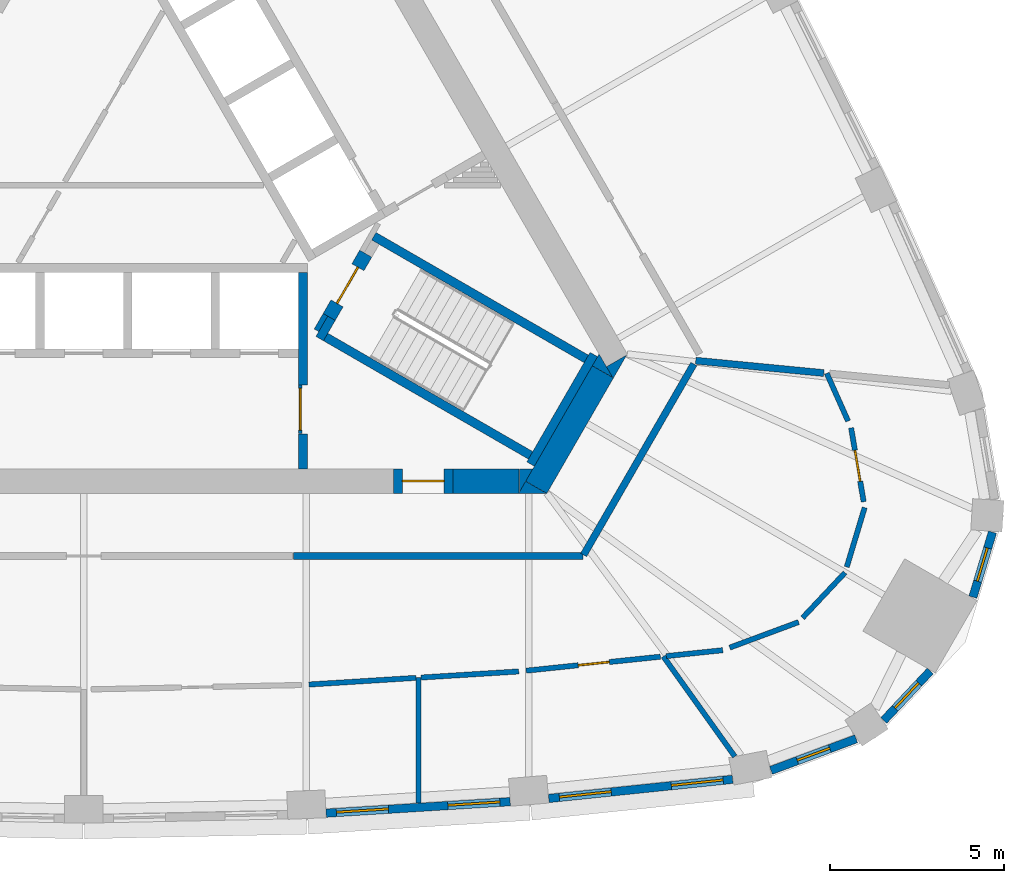
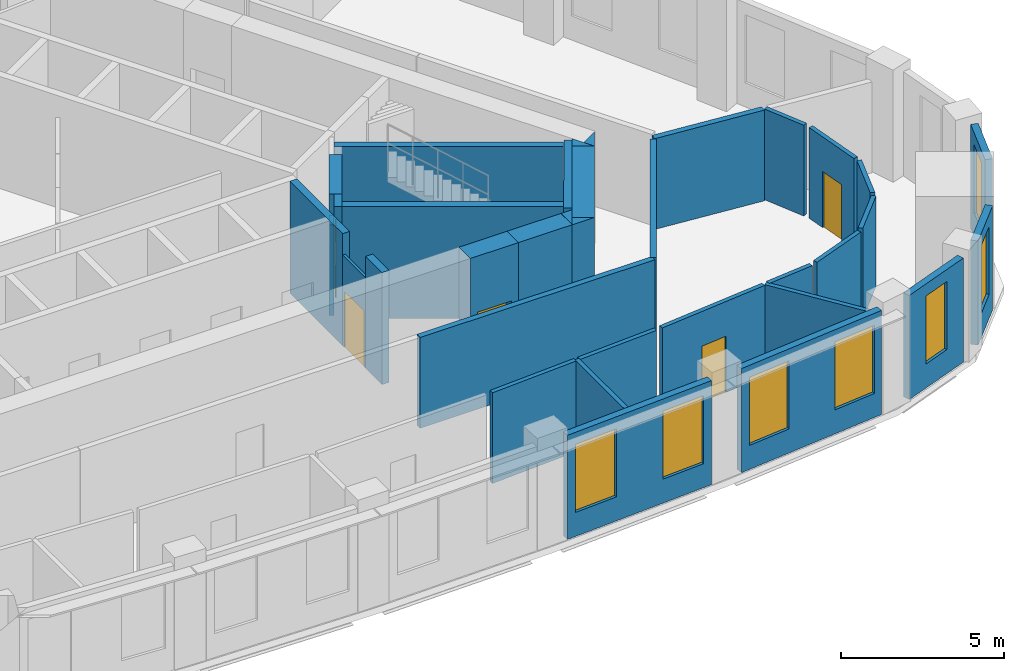
# One storey, part 6 of 11: 35 walls, 7 windows, 5 doors, 12 openings.
"""IFC4 building model written with IfcOpenShell, lengths in metres."""

from ifc_helpers import new_model, si_unit, direction, frame, frame_2d, origin, place, context, subcontext, project, spatial, polyline, rectangle, outline, extrude, material, layer, layer_set, type_object, element, fill, save


model = new_model("IFC4")

# Units and contexts
model_context = context("Model", 3, precision=1e-05, world=origin(), true_north=direction((0.0, 1.0)))
body_context = subcontext(model_context, "Body", "Model", "MODEL_VIEW")
ifc_project = project(units=[si_unit("LENGTHUNIT", "METRE"), si_unit("AREAUNIT", "SQUARE_METRE"), si_unit("VOLUMEUNIT", "CUBIC_METRE"), si_unit("PLANEANGLEUNIT", "RADIAN"), si_unit("MASSUNIT", "GRAM", prefix="KILO")], contexts=[model_context])

# Site, building, storey
site_placement = place(None, origin())
site = spatial("IfcSite", under=ifc_project, at=site_placement, CompositionType="ELEMENT")
building_placement = place(site_placement, origin())
building = spatial("IfcBuilding", under=site, at=building_placement, Name="Mestral Congress Tower", CompositionType="ELEMENT")
storey_placement = place(building_placement, frame((0.0, 0.0, 252.0)))
storey = spatial("IfcBuildingStorey", under=building, at=storey_placement, Name="L59", CompositionType="ELEMENT", Elevation=252.0)

# Wall
ifc_material_1 = material(Name="Fire-rated board partition")
ifc_layer_1 = layer(ifc_material_1, 0.14990234375)
ifc_layer_set_1 = layer_set([ifc_layer_1], Name="Fire-rated board partition")
wall_type_1 = type_object("IfcWallType", Name="Core partition 150", PredefinedType="PARTITIONING", material=ifc_layer_set_1)
wall_1_placement = place(storey_placement, frame((6.94482421875, -5.22216796875, 0.0), z_axis=(0.0, 0.0, 1.0), x_axis=(-0.499818422106, -0.866130212453, 0.0)))
element("IfcWall", 1, at=wall_1_placement, inside=storey, type_object=wall_type_1, Name="L59 core wall", PredefinedType="PARTITIONING", context=body_context, shape_type="SweptSolid", body=[
    extrude(rectangle(XDim=0.513916015625, YDim=0.14990234375, at=frame_2d((0.2568359375, 0.0))), origin(), (0.0, 0.0, 1.0), 3.39990234375),
])

# Wall, opening, door
ifc_layer_2 = layer(ifc_material_1, 0.090087890625)
ifc_layer_set_2 = layer_set([ifc_layer_2], Name="Fire-rated board partition")
wall_type_2 = type_object("IfcWallType", Name="Core partition 150 door-wall 90", PredefinedType="PARTITIONING", material=ifc_layer_set_2)
wall_2_placement = place(storey_placement, frame((6.219970703125, -7.23681640625, 0.0), z_axis=(0.0, 0.0, 1.0), x_axis=(0.0, -1.0, 0.0)))
wall_2 = element("IfcWall", 2, at=wall_2_placement, inside=storey, type_object=wall_type_2, Name="L59 door wall", PredefinedType="PARTITIONING", context=body_context, shape_type="SweptSolid", body=[
    extrude(rectangle(XDim=1.400146484375, YDim=0.090087890625, at=frame_2d((0.7001953125, 0.0))), origin(), (0.0, 0.0, 1.0), 3.39990234375),
])
opening_1_placement = place(wall_2_placement, frame((0.10009765625, 0.0, 0.0)))
opening_1 = element("IfcOpeningElement", 3, at=opening_1_placement, cuts=wall_2, Name="Opening LB0-WL1", PredefinedType="OPENING", context=body_context, shape_type="SweptSolid", body=[
    extrude(rectangle(XDim=1.199951171875, YDim=2.10009765625, at=frame_2d((0.60009765625, 1.050048828125))), frame((0.0, 0.054931640625, 0.0), z_axis=(0.0, -1.0, 0.0), x_axis=(1.0, 0.0, 0.0)), (0.0, 0.0, 1.0), 0.110107421875),
])
ifc_material_2 = material(Name="Fire-rated steel door set", Category="steel")
door_type_1 = type_object("IfcDoorType", Name="Core door LB 1200x2100", OperationType="SINGLE_SWING_LEFT", PredefinedType="DOOR", material=ifc_material_2)
door_1_placement = place(opening_1_placement, origin())
door_1 = element("IfcDoor", 4, at=door_1_placement, inside=storey, type_object=door_type_1, Name="Door LB0-WL1", OperationType="SINGLE_SWING_LEFT", OverallHeight=2.10009765625, OverallWidth=1.199951171875, PredefinedType="DOOR", context=body_context, shape_type="SweptSolid", body=[
    extrude(rectangle(XDim=1.199951171875, YDim=2.10009765625, at=frame_2d((0.60009765625, 1.050048828125))), frame((0.0, 0.02490234375, 0.0), z_axis=(0.0, -1.0, 0.0), x_axis=(1.0, 0.0, 0.0)), (0.0, 0.0, 1.0), 0.050048828125),
])
fill(opening_1, door_1)

# Walls
ifc_material_3 = material(Name="Concrete C60/75", Category="concrete")
ifc_layer_3 = layer(ifc_material_3, 0.699951171875)
ifc_layer_set_3 = layer_set([ifc_layer_3], Name="Concrete C60/75")
wall_type_3 = type_object("IfcWallType", Name="Core wall RC 700", PredefinedType="SOLIDWALL", material=ifc_layer_set_3)
placement = place(storey_placement, origin())
element("IfcWall", 5, at=placement, inside=storey, type_object=wall_type_3, Name="L59 core wall", PredefinedType="SOLIDWALL", context=body_context, shape_type="SweptSolid", body=[
    extrude(outline(polyline([(15.213134765625, -7.050048828125), (15.019287109375, -6.714111328125), (15.60107421875, -6.3779296875), (15.213134765625, -7.050048828125)])), origin(), (0.0, 0.0, 1.0), 4.199951171875),
])
wall_4_placement = place(storey_placement, frame((13.002685546875, -10.1787109375, 0.0), z_axis=(0.0, 0.0, 1.0), x_axis=(0.499972675833, 0.866041178825, 0.0)))
element("IfcWall", 6, at=wall_4_placement, inside=storey, type_object=wall_type_3, Name="L59 core wall", PredefinedType="SOLIDWALL", context=body_context, shape_type="SweptSolid", body=[
    extrude(rectangle(XDim=3.828857421875, YDim=0.699951171875, at=frame_2d((1.91455078125, 0.0))), origin(), (0.0, 0.0, 1.0), 4.199951171875),
])
element("IfcWall", 7, at=placement, inside=storey, type_object=wall_type_3, Name="L59 core wall", PredefinedType="SOLIDWALL", context=body_context, shape_type="SweptSolid", body=[
    extrude(outline(polyline([(12.49951171875, -10.35009765625), (12.698486328125, -10.00537109375), (13.295654296875, -10.35009765625), (12.49951171875, -10.35009765625)])), origin(), (0.0, 0.0, 1.0), 4.199951171875),
])
element("IfcWall", 8, at=placement, inside=storey, type_object=wall_type_3, Name="L59 core wall", PredefinedType="SOLIDWALL", context=body_context, shape_type="SweptSolid", body=[
    extrude(outline(polyline([(14.80908203125, -6.35009765625), (15.197265625, -7.022216796875), (14.614990234375, -6.68603515625), (14.80908203125, -6.35009765625)])), origin(), (0.0, 0.0, 1.0), 4.199951171875),
])
wall_7_placement = place(storey_placement, frame((10.6044921875, -10.0, 0.0), z_axis=(0.0, 0.0, 1.0), x_axis=(1.0, 0.0, 0.0)))
element("IfcWall", 9, at=wall_7_placement, inside=storey, type_object=wall_type_3, Name="L59 core wall", PredefinedType="SOLIDWALL", context=body_context, shape_type="SweptSolid", body=[
    extrude(rectangle(XDim=1.909423828125, YDim=0.699951171875, at=frame_2d((0.95458984375, 0.0))), origin(), (0.0, 0.0, 1.0), 4.199951171875),
])
element("IfcWall", 10, at=placement, inside=storey, type_object=wall_type_3, Name="L59 core wall", PredefinedType="SOLIDWALL", context=body_context, shape_type="SweptSolid", body=[
    extrude(outline(polyline([(12.90380859375, -9.64990234375), (12.515869140625, -10.322021484375), (12.515869140625, -9.64990234375), (12.90380859375, -9.64990234375)])), origin(), (0.0, 0.0, 1.0), 4.199951171875),
])

# Wall, opening, door
wall_9_placement = place(storey_placement, frame((10.6044921875, -10.0, 0.0), z_axis=(0.0, 0.0, 1.0), x_axis=(-1.0, 0.0, 0.0)))
wall_9 = element("IfcWall", 11, at=wall_9_placement, inside=storey, type_object=wall_type_3, Name="L59 door wall", PredefinedType="SOLIDWALL", context=body_context, shape_type="SweptSolid", body=[
    extrude(rectangle(XDim=1.699951171875, YDim=0.699951171875, at=frame_2d((0.85009765625, 0.0))), origin(), (0.0, 0.0, 1.0), 4.199951171875),
])
opening_2_placement = place(wall_9_placement, frame((0.25, 0.0, 0.0)))
opening_2 = element("IfcOpeningElement", 12, at=opening_2_placement, cuts=wall_9, Name="Opening XD1", PredefinedType="OPENING", context=body_context, shape_type="SweptSolid", body=[
    extrude(rectangle(XDim=1.199951171875, YDim=2.10009765625, at=frame_2d((0.60009765625, 1.050048828125))), frame((0.0, 0.35986328125, 0.0), z_axis=(0.0, -1.0, 0.0), x_axis=(1.0, 0.0, 0.0)), (0.0, 0.0, 1.0), 0.719970703125),
])
door_type_2 = type_object("IfcDoorType", Name="Core door XD 1200x2100", OperationType="SINGLE_SWING_LEFT", PredefinedType="DOOR", material=ifc_material_2)
door_2_placement = place(opening_2_placement, origin())
door_2 = element("IfcDoor", 13, at=door_2_placement, inside=storey, type_object=door_type_2, Name="Door XD1", OperationType="SINGLE_SWING_LEFT", OverallHeight=2.10009765625, OverallWidth=1.199951171875, PredefinedType="DOOR", context=body_context, shape_type="SweptSolid", body=[
    extrude(rectangle(XDim=1.199951171875, YDim=2.10009765625, at=frame_2d((0.60009765625, 1.050048828125))), frame((0.0, 0.02490234375, 0.0), z_axis=(0.0, -1.0, 0.0), x_axis=(1.0, 0.0, 0.0)), (0.0, 0.0, 1.0), 0.050048828125),
])
fill(opening_2, door_2)

# Wall, openings, windows
ifc_material_4 = material(Name="Precast concrete C40/50 with limestone facing", Category="masonry")
ifc_layer_4 = layer(ifc_material_4, 0.239990234375)
ifc_layer_set_4 = layer_set([ifc_layer_4], Name="Precast concrete C40/50 with limestone facing")
wall_type_4 = type_object("IfcWallType", Name="Facade stone wall 240", PredefinedType="SOLIDWALL", material=ifc_layer_set_4)
wall_10_placement = place(storey_placement, frame((6.965087890625, -19.54296875, 0.0), z_axis=(0.0, 0.0, 1.0), x_axis=(0.9980633213, 0.062206162685, 0.0)))
wall_10 = element("IfcWall", 14, at=wall_10_placement, inside=storey, type_object=wall_type_4, Name="Facade wall F0-04", PredefinedType="SOLIDWALL", context=body_context, shape_type="SweptSolid", body=[
    extrude(rectangle(XDim=5.29833984375, YDim=0.239990234375, at=frame_2d((2.649169921875, 0.0))), origin(), (0.0, 0.0, 1.0), 3.89990234375),
])
opening_3_placement = place(wall_10_placement, frame((0.294677734375, 0.0, 0.89990234375)))
opening_3 = element("IfcOpeningElement", 15, at=opening_3_placement, cuts=wall_10, Name="Opening W4", PredefinedType="OPENING", context=body_context, shape_type="SweptSolid", body=[
    extrude(rectangle(XDim=1.5, YDim=2.550048828125, at=frame_2d((0.75, 1.27490234375))), frame((0.0, 0.1298828125, 0.0), z_axis=(0.0, -1.0, 0.0), x_axis=(1.0, 0.0, 0.0)), (0.0, 0.0, 1.0), 0.260009765625),
])
opening_4_placement = place(wall_10_placement, frame((3.503662109375, 0.0, 0.89990234375)))
opening_4 = element("IfcOpeningElement", 16, at=opening_4_placement, cuts=wall_10, Name="Opening W4", PredefinedType="OPENING", context=body_context, shape_type="SweptSolid", body=[
    extrude(rectangle(XDim=1.5, YDim=2.550048828125, at=frame_2d((0.75, 1.27490234375))), frame((0.0, 0.1298828125, 0.0), z_axis=(0.0, -1.0, 0.0), x_axis=(1.0, 0.0, 0.0)), (0.0, 0.0, 1.0), 0.260009765625),
])
ifc_material_5 = material(Name="Clear low-emissivity double glazing", Category="glass")
window_type_1 = type_object("IfcWindowType", Name="Facade punched window 1500 x 2550 sill 900", PartitioningType="SINGLE_PANEL", PredefinedType="WINDOW", material=ifc_material_5)
window_1_placement = place(opening_3_placement, origin())
window_1 = element("IfcWindow", 17, at=window_1_placement, inside=storey, type_object=window_type_1, Name="Window F0-04a", OverallHeight=2.550048828125, OverallWidth=1.5, PartitioningType="SINGLE_PANEL", PredefinedType="WINDOW", context=body_context, shape_type="SweptSolid", body=[
    extrude(rectangle(XDim=1.5, YDim=2.550048828125, at=frame_2d((0.75, 1.27490234375))), frame((0.0, 0.0400390625, 0.0), z_axis=(0.0, -1.0, 0.0), x_axis=(1.0, 0.0, 0.0)), (0.0, 0.0, 1.0), 0.06005859375),
])
fill(opening_3, window_1)
window_2_placement = place(opening_4_placement, origin())
window_2 = element("IfcWindow", 18, at=window_2_placement, inside=storey, type_object=window_type_1, Name="Window F0-04b", OverallHeight=2.550048828125, OverallWidth=1.5, PartitioningType="SINGLE_PANEL", PredefinedType="WINDOW", context=body_context, shape_type="SweptSolid", body=[
    extrude(rectangle(XDim=1.5, YDim=2.550048828125, at=frame_2d((0.75, 1.27490234375))), frame((0.0, 0.0400390625, 0.0), z_axis=(0.0, -1.0, 0.0), x_axis=(1.0, 0.0, 0.0)), (0.0, 0.0, 1.0), 0.06005859375),
])
fill(opening_4, window_2)

wall_11_placement = place(storey_placement, frame((13.362060546875, -19.12109375, 0.0), z_axis=(0.0, 0.0, 1.0), x_axis=(0.994621961215, 0.103571976272, 0.0)))
wall_11 = element("IfcWall", 19, at=wall_11_placement, inside=storey, type_object=wall_type_4, Name="Facade wall F0-05", PredefinedType="SOLIDWALL", context=body_context, shape_type="SweptSolid", body=[
    extrude(rectangle(XDim=5.310791015625, YDim=0.239990234375, at=frame_2d((2.6552734375, 0.0))), origin(), (0.0, 0.0, 1.0), 3.89990234375),
])
opening_5_placement = place(wall_11_placement, frame((0.306396484375, 0.0, 0.89990234375)))
opening_5 = element("IfcOpeningElement", 20, at=opening_5_placement, cuts=wall_11, Name="Opening W4", PredefinedType="OPENING", context=body_context, shape_type="SweptSolid", body=[
    extrude(rectangle(XDim=1.5, YDim=2.550048828125, at=frame_2d((0.75, 1.27490234375))), frame((0.0, 0.1298828125, 0.0), z_axis=(0.0, -1.0, 0.0), x_axis=(1.0, 0.0, 0.0)), (0.0, 0.0, 1.0), 0.260009765625),
])
opening_6_placement = place(wall_11_placement, frame((3.539306640625, 0.0, 0.89990234375)))
opening_6 = element("IfcOpeningElement", 21, at=opening_6_placement, cuts=wall_11, Name="Opening W4", PredefinedType="OPENING", context=body_context, shape_type="SweptSolid", body=[
    extrude(rectangle(XDim=1.5, YDim=2.550048828125, at=frame_2d((0.75, 1.27490234375))), frame((0.0, 0.1298828125, 0.0), z_axis=(0.0, -1.0, 0.0), x_axis=(1.0, 0.0, 0.0)), (0.0, 0.0, 1.0), 0.260009765625),
])
window_3_placement = place(opening_5_placement, origin())
window_3 = element("IfcWindow", 22, at=window_3_placement, inside=storey, type_object=window_type_1, Name="Window F0-05a", OverallHeight=2.550048828125, OverallWidth=1.5, PartitioningType="SINGLE_PANEL", PredefinedType="WINDOW", context=body_context, shape_type="SweptSolid", body=[
    extrude(rectangle(XDim=1.5, YDim=2.550048828125, at=frame_2d((0.75, 1.27490234375))), frame((0.0, 0.0400390625, 0.0), z_axis=(0.0, -1.0, 0.0), x_axis=(1.0, 0.0, 0.0)), (0.0, 0.0, 1.0), 0.06005859375),
])
fill(opening_5, window_3)
window_4_placement = place(opening_6_placement, origin())
window_4 = element("IfcWindow", 23, at=window_4_placement, inside=storey, type_object=window_type_1, Name="Window F0-05b", OverallHeight=2.550048828125, OverallWidth=1.5, PartitioningType="SINGLE_PANEL", PredefinedType="WINDOW", context=body_context, shape_type="SweptSolid", body=[
    extrude(rectangle(XDim=1.5, YDim=2.550048828125, at=frame_2d((0.75, 1.27490234375))), frame((0.0, 0.0400390625, 0.0), z_axis=(0.0, -1.0, 0.0), x_axis=(1.0, 0.0, 0.0)), (0.0, 0.0, 1.0), 0.06005859375),
])
fill(opening_6, window_4)

# Wall, opening, window
wall_12_placement = place(storey_placement, frame((19.747802734375, -18.31396484375, 0.0), z_axis=(0.0, 0.0, 1.0), x_axis=(0.937569171184, 0.347798863203, 0.0)))
wall_12 = element("IfcWall", 24, at=wall_12_placement, inside=storey, type_object=wall_type_4, Name="Facade wall K0-0", PredefinedType="SOLIDWALL", context=body_context, shape_type="SweptSolid", body=[
    extrude(rectangle(XDim=2.609130859375, YDim=0.239990234375, at=frame_2d((1.3046875, 0.0))), origin(), (0.0, 0.0, 1.0), 3.89990234375),
])
opening_7_placement = place(wall_12_placement, frame((0.8046875, 0.0, 0.89990234375)))
opening_7 = element("IfcOpeningElement", 25, at=opening_7_placement, cuts=wall_12, Name="Opening W5", PredefinedType="OPENING", context=body_context, shape_type="SweptSolid", body=[
    extrude(rectangle(XDim=1.0, YDim=2.550048828125, at=frame_2d((0.5, 1.27490234375))), frame((0.0, 0.1298828125, 0.0), z_axis=(0.0, -1.0, 0.0), x_axis=(1.0, 0.0, 0.0)), (0.0, 0.0, 1.0), 0.260009765625),
])
window_type_2 = type_object("IfcWindowType", Name="Facade punched window 1000 x 2550 sill 900", PartitioningType="SINGLE_PANEL", PredefinedType="WINDOW", material=ifc_material_5)
window_5_placement = place(opening_7_placement, origin())
window_5 = element("IfcWindow", 26, at=window_5_placement, inside=storey, type_object=window_type_2, Name="Window K0-0", OverallHeight=2.550048828125, OverallWidth=1.0, PartitioningType="SINGLE_PANEL", PredefinedType="WINDOW", context=body_context, shape_type="SweptSolid", body=[
    extrude(rectangle(XDim=1.0, YDim=2.550048828125, at=frame_2d((0.5, 1.27490234375))), frame((0.0, 0.0400390625, 0.0), z_axis=(0.0, -1.0, 0.0), x_axis=(1.0, 0.0, 0.0)), (0.0, 0.0, 1.0), 0.06005859375),
])
fill(opening_7, window_5)

wall_13_placement = place(storey_placement, frame((22.989013671875, -16.87890625, 0.0), z_axis=(0.0, 0.0, 1.0), x_axis=(0.684770274166, 0.728758994194, 0.0)))
wall_13 = element("IfcWall", 27, at=wall_13_placement, inside=storey, type_object=wall_type_4, Name="Facade wall K0-1", PredefinedType="SOLIDWALL", context=body_context, shape_type="SweptSolid", body=[
    extrude(rectangle(XDim=1.947998046875, YDim=0.239990234375, at=frame_2d((0.97412109375, 0.0))), origin(), (0.0, 0.0, 1.0), 3.89990234375),
])
opening_8_placement = place(wall_13_placement, frame((0.47412109375, 0.0, 0.89990234375)))
opening_8 = element("IfcOpeningElement", 28, at=opening_8_placement, cuts=wall_13, Name="Opening W5", PredefinedType="OPENING", context=body_context, shape_type="SweptSolid", body=[
    extrude(rectangle(XDim=1.0, YDim=2.550048828125, at=frame_2d((0.5, 1.27490234375))), frame((0.0, 0.1298828125, 0.0), z_axis=(0.0, -1.0, 0.0), x_axis=(1.0, 0.0, 0.0)), (0.0, 0.0, 1.0), 0.260009765625),
])
window_6_placement = place(opening_8_placement, origin())
window_6 = element("IfcWindow", 29, at=window_6_placement, inside=storey, type_object=window_type_2, Name="Window K0-1", OverallHeight=2.550048828125, OverallWidth=1.0, PartitioningType="SINGLE_PANEL", PredefinedType="WINDOW", context=body_context, shape_type="SweptSolid", body=[
    extrude(rectangle(XDim=1.0, YDim=2.550048828125, at=frame_2d((0.5, 1.27490234375))), frame((0.0, 0.0400390625, 0.0), z_axis=(0.0, -1.0, 0.0), x_axis=(1.0, 0.0, 0.0)), (0.0, 0.0, 1.0), 0.06005859375),
])
fill(opening_8, window_6)

wall_14_placement = place(storey_placement, frame((25.5498046875, -13.334716796875, 0.0), z_axis=(0.0, 0.0, 1.0), x_axis=(0.288727209095, 0.957411405159, 0.0)))
wall_14 = element("IfcWall", 30, at=wall_14_placement, inside=storey, type_object=wall_type_4, Name="Facade wall K0-2", PredefinedType="SOLIDWALL", context=body_context, shape_type="SweptSolid", body=[
    extrude(rectangle(XDim=1.9482421875, YDim=0.239990234375, at=frame_2d((0.97412109375, 0.0))), origin(), (0.0, 0.0, 1.0), 3.89990234375),
])
opening_9_placement = place(wall_14_placement, frame((0.47412109375, 0.0, 0.89990234375)))
opening_9 = element("IfcOpeningElement", 31, at=opening_9_placement, cuts=wall_14, Name="Opening W5", PredefinedType="OPENING", context=body_context, shape_type="SweptSolid", body=[
    extrude(rectangle(XDim=1.0, YDim=2.550048828125, at=frame_2d((0.5, 1.27490234375))), frame((0.0, 0.1298828125, 0.0), z_axis=(0.0, -1.0, 0.0), x_axis=(1.0, 0.0, 0.0)), (0.0, 0.0, 1.0), 0.260009765625),
])
window_7_placement = place(opening_9_placement, origin())
window_7 = element("IfcWindow", 32, at=window_7_placement, inside=storey, type_object=window_type_2, Name="Window K0-2", OverallHeight=2.550048828125, OverallWidth=1.0, PartitioningType="SINGLE_PANEL", PredefinedType="WINDOW", context=body_context, shape_type="SweptSolid", body=[
    extrude(rectangle(XDim=1.0, YDim=2.550048828125, at=frame_2d((0.5, 1.27490234375))), frame((0.0, 0.0400390625, 0.0), z_axis=(0.0, -1.0, 0.0), x_axis=(1.0, 0.0, 0.0)), (0.0, 0.0, 1.0), 0.06005859375),
])
fill(opening_9, window_7)

# Walls
ifc_material_6 = material(Name="Plasterboard partition on steel studs", Category="steel")
ifc_layer_5 = layer(ifc_material_6, 0.14990234375)
ifc_layer_set_5 = layer_set([ifc_layer_5], Name="Plasterboard partition on steel studs")
wall_type_5 = type_object("IfcWallType", Name="Office partition 150", PredefinedType="PARTITIONING", material=ifc_layer_set_5)
wall_15_placement = place(storey_placement, frame((9.61962890625, -15.650390625, 0.0), z_axis=(0.0, 0.0, 1.0), x_axis=(0.0, -1.0, 0.0)))
element("IfcWall", 33, at=wall_15_placement, inside=storey, type_object=wall_type_5, Name="Partition", PredefinedType="PARTITIONING", context=body_context, shape_type="SweptSolid", body=[
    extrude(rectangle(XDim=3.60693359375, YDim=0.14990234375, at=frame_2d((1.803466796875, 0.0))), origin(), (0.0, 0.0, 1.0), 3.39990234375),
])
wall_16_placement = place(storey_placement, frame((6.46923828125, -15.8466796875, 0.0), z_axis=(0.0, 0.0, 1.0), x_axis=(0.998063968491, 0.062195777984, 0.0)))
element("IfcWall", 34, at=wall_16_placement, inside=storey, type_object=wall_type_5, Name="Partition", PredefinedType="PARTITIONING", context=body_context, shape_type="SweptSolid", body=[
    extrude(rectangle(XDim=3.081298828125, YDim=0.14990234375, at=frame_2d((1.54052734375, 0.0))), origin(), (0.0, 0.0, 1.0), 3.39990234375),
])
wall_17_placement = place(storey_placement, frame((16.65478515625, -15.0380859375, 0.0), z_axis=(0.0, 0.0, 1.0), x_axis=(0.580996489012, -0.813906063226, 0.0)))
element("IfcWall", 35, at=wall_17_placement, inside=storey, type_object=wall_type_5, Name="Partition", PredefinedType="PARTITIONING", context=body_context, shape_type="SweptSolid", body=[
    extrude(rectangle(XDim=3.53564453125, YDim=0.14990234375, at=frame_2d((1.767822265625, 0.0))), origin(), (0.0, 0.0, 1.0), 3.39990234375),
])
wall_18_placement = place(storey_placement, frame((9.694580078125, -15.645751953125, 0.0), z_axis=(0.0, 0.0, 1.0), x_axis=(0.998058994434, 0.062275545993, 0.0)))
element("IfcWall", 36, at=wall_18_placement, inside=storey, type_object=wall_type_5, Name="Partition", PredefinedType="PARTITIONING", context=body_context, shape_type="SweptSolid", body=[
    extrude(rectangle(XDim=2.810791015625, YDim=0.14990234375, at=frame_2d((1.4052734375, 0.0))), origin(), (0.0, 0.0, 1.0), 3.39990234375),
])

# Wall, opening, door
wall_19_placement = place(storey_placement, frame((16.569091796875, -15.047119140625, 0.0), z_axis=(0.0, 0.0, 1.0), x_axis=(-0.994626247491, -0.103530806058, 0.0)))
wall_19 = element("IfcWall", 37, at=wall_19_placement, inside=storey, type_object=wall_type_5, Name="Partition", PredefinedType="PARTITIONING", context=body_context, shape_type="SweptSolid", body=[
    extrude(rectangle(XDim=3.876708984375, YDim=0.14990234375, at=frame_2d((1.9384765625, 0.0))), origin(), (0.0, 0.0, 1.0), 3.39990234375),
])
opening_10_placement = place(wall_19_placement, frame((1.476806640625, 0.0, 0.0)))
opening_10 = element("IfcOpeningElement", 38, at=opening_10_placement, cuts=wall_19, Name="Opening O10-004", PredefinedType="OPENING", context=body_context, shape_type="SweptSolid", body=[
    extrude(rectangle(XDim=0.89990234375, YDim=2.10009765625, at=frame_2d((0.449951171875, 1.050048828125))), frame((0.0, 0.0849609375, 0.0), z_axis=(0.0, -1.0, 0.0), x_axis=(1.0, 0.0, 0.0)), (0.0, 0.0, 1.0), 0.169921875),
])
ifc_material_7 = material(Name="Timber door set", Category="wood")
door_type_3 = type_object("IfcDoorType", Name="Office door 900x2100", OperationType="SINGLE_SWING_LEFT", PredefinedType="DOOR", material=ifc_material_7)
door_3_placement = place(opening_10_placement, origin())
door_3 = element("IfcDoor", 39, at=door_3_placement, inside=storey, type_object=door_type_3, Name="Door O10-004", OperationType="SINGLE_SWING_LEFT", OverallHeight=2.10009765625, OverallWidth=0.89990234375, PredefinedType="DOOR", context=body_context, shape_type="SweptSolid", body=[
    extrude(rectangle(XDim=0.89990234375, YDim=2.10009765625, at=frame_2d((0.449951171875, 1.050048828125))), frame((0.0, 0.02490234375, 0.0), z_axis=(0.0, -1.0, 0.0), x_axis=(1.0, 0.0, 0.0)), (0.0, 0.0, 1.0), 0.050048828125),
])
fill(opening_10, door_3)

# Walls
wall_20_placement = place(storey_placement, frame((16.740478515625, -15.029296875, 0.0), z_axis=(0.0, 0.0, 1.0), x_axis=(0.994613262412, 0.103655478553, 0.0)))
element("IfcWall", 40, at=wall_20_placement, inside=storey, type_object=wall_type_5, Name="Partition", PredefinedType="PARTITIONING", context=body_context, shape_type="SweptSolid", body=[
    extrude(rectangle(XDim=1.6298828125, YDim=0.14990234375, at=frame_2d((0.81494140625, 0.0))), origin(), (0.0, 0.0, 1.0), 3.39990234375),
])
wall_21_placement = place(storey_placement, frame((18.562744140625, -14.785888671875, 0.0), z_axis=(0.0, 0.0, 1.0), x_axis=(0.937574131487, 0.347785491312, 0.0)))
element("IfcWall", 41, at=wall_21_placement, inside=storey, type_object=wall_type_5, Name="Partition", PredefinedType="PARTITIONING", context=body_context, shape_type="SweptSolid", body=[
    extrude(rectangle(XDim=2.109375, YDim=0.14990234375, at=frame_2d((1.0546875, 0.0))), origin(), (0.0, 0.0, 1.0), 3.39990234375),
])
for number, where, z_axis, x_axis, name in (
    (42, (20.65625, -13.92919921875, 0.0), (0.0, 0.0, 1.0), (0.684774703839, 0.728754831876, 0.0), "Partition"),
    (43, (21.92529296875, -12.468994140625, 0.0), (0.0, 0.0, 1.0), (0.288679998045, 0.957425641357, 0.0), "Partition"),
):
    element("IfcWall", number, at=place(storey_placement, frame(where, z_axis=z_axis, x_axis=x_axis)), inside=storey, type_object=wall_type_5, Name=name, PredefinedType="PARTITIONING", context=body_context, shape_type="SweptSolid", body=[
        extrude(rectangle(XDim=1.781982421875, YDim=0.14990234375, at=frame_2d((0.89111328125, 0.0))), origin(), (0.0, 0.0, 1.0), 3.39990234375),
    ])

# Wall, opening, door
wall_22_placement = place(storey_placement, frame((22.05029296875, -8.4716796875, 0.0), z_axis=(0.0, 0.0, 1.0), x_axis=(0.167668164232, -0.985843489963, 0.0)))
wall_22 = element("IfcWall", 44, at=wall_22_placement, inside=storey, type_object=wall_type_5, Name="Partition", PredefinedType="PARTITIONING", context=body_context, shape_type="SweptSolid", body=[
    extrude(rectangle(XDim=2.155029296875, YDim=0.14990234375, at=frame_2d((1.07763671875, 0.0))), origin(), (0.0, 0.0, 1.0), 3.39990234375),
])
opening_11_placement = place(wall_22_placement, frame((0.655029296875, 0.0, 0.0)))
opening_11 = element("IfcOpeningElement", 45, at=opening_11_placement, cuts=wall_22, Name="Opening O10-005", PredefinedType="OPENING", context=body_context, shape_type="SweptSolid", body=[
    extrude(rectangle(XDim=0.89990234375, YDim=2.10009765625, at=frame_2d((0.449951171875, 1.050048828125))), frame((0.0, 0.0849609375, 0.0), z_axis=(0.0, -1.0, 0.0), x_axis=(1.0, 0.0, 0.0)), (0.0, 0.0, 1.0), 0.169921875),
])
door_4_placement = place(opening_11_placement, origin())
door_4 = element("IfcDoor", 46, at=door_4_placement, inside=storey, type_object=door_type_3, Name="Door O10-005", OperationType="SINGLE_SWING_RIGHT", OverallHeight=2.10009765625, OverallWidth=0.89990234375, PredefinedType="DOOR", context=body_context, shape_type="SweptSolid", body=[
    extrude(rectangle(XDim=0.89990234375, YDim=2.10009765625, at=frame_2d((0.449951171875, 1.050048828125))), frame((0.0, 0.02490234375, 0.0), z_axis=(0.0, -1.0, 0.0), x_axis=(1.0, 0.0, 0.0)), (0.0, 0.0, 1.0), 0.050048828125),
])
fill(opening_11, door_4)

# Walls
wall_23_placement = place(storey_placement, frame((21.962890625, -8.275634765625, 0.0), z_axis=(0.0, 0.0, 1.0), x_axis=(-0.407570957072, 0.913173540436, 0.0)))
element("IfcWall", 47, at=wall_23_placement, inside=storey, type_object=wall_type_5, Name="Partition", PredefinedType="PARTITIONING", context=body_context, shape_type="SweptSolid", body=[
    extrude(rectangle(XDim=1.501708984375, YDim=0.14990234375, at=frame_2d((0.7509765625, 0.0))), origin(), (0.0, 0.0, 1.0), 3.39990234375),
])
ifc_material_8 = material(Name="Dense masonry wall, plastered", Category="masonry")
ifc_layer_6 = layer(ifc_material_8, 0.199951171875)
ifc_layer_set_6 = layer_set([ifc_layer_6], Name="Dense masonry wall, plastered")
wall_type_6 = type_object("IfcWallType", Name="Office tenancy wall 200", PredefinedType="PARTITIONING", material=ifc_layer_set_6)
wall_24_placement = place(storey_placement, frame((17.5859375, -6.540283203125, 0.0), z_axis=(0.0, 0.0, 1.0), x_axis=(0.995358181524, -0.096239755158, 0.0)))
element("IfcWall", 48, at=wall_24_placement, inside=storey, type_object=wall_type_6, Name="Tenancy wall", PredefinedType="PARTITIONING", context=body_context, shape_type="SweptSolid", body=[
    extrude(rectangle(XDim=3.696044921875, YDim=0.199951171875, at=frame_2d((1.84814453125, 0.0))), origin(), (0.0, 0.0, 1.0), 3.39990234375),
])
wall_25_placement = place(storey_placement, frame((6.030029296875, -12.14990234375, 0.0), z_axis=(0.0, 0.0, 1.0), x_axis=(1.0, 0.0, 0.0)))
element("IfcWall", 49, at=wall_25_placement, inside=storey, type_object=wall_type_6, Name="Tenancy wall", PredefinedType="PARTITIONING", context=body_context, shape_type="SweptSolid", body=[
    extrude(rectangle(XDim=8.317138671875, YDim=0.199951171875, at=frame_2d((4.15869140625, 0.0))), origin(), (0.0, 0.0, 1.0), 3.39990234375),
])
wall_26_placement = place(storey_placement, frame((14.362060546875, -12.1240234375, 0.0), z_axis=(0.0, 0.0, 1.0), x_axis=(0.500017005442, 0.866015585465, 0.0)))
element("IfcWall", 50, at=wall_26_placement, inside=storey, type_object=wall_type_6, Name="Tenancy wall", PredefinedType="PARTITIONING", context=body_context, shape_type="SweptSolid", body=[
    extrude(rectangle(XDim=6.337646484375, YDim=0.199951171875, at=frame_2d((3.1689453125, 0.0))), origin(), (0.0, 0.0, 1.0), 3.39990234375),
])
ifc_layer_7 = layer(ifc_material_3, 0.25)
ifc_layer_set_7 = layer_set([ifc_layer_7], Name="Concrete C60/75")
wall_type_7 = type_object("IfcWallType", Name="Shaft wall RC 250", PredefinedType="SOLIDWALL", material=ifc_layer_set_7)
wall_27_placement = place(storey_placement, frame((6.300048828125, -7.239990234375, 0.0), z_axis=(0.0, 0.0, 1.0), x_axis=(0.0, 1.0, 0.0)))
element("IfcWall", 51, at=wall_27_placement, inside=storey, type_object=wall_type_7, Name="L59 core wall", PredefinedType="SOLIDWALL", context=body_context, shape_type="SweptSolid", body=[
    extrude(rectangle(XDim=3.239990234375, YDim=0.25, at=frame_2d((1.6201171875, 0.0))), origin(), (0.0, 0.0, 1.0), 4.199951171875),
])
wall_28_placement = place(storey_placement, frame((6.300048828125, -9.64990234375, 0.0), z_axis=(0.0, 0.0, 1.0), x_axis=(0.0, 1.0, 0.0)))
element("IfcWall", 52, at=wall_28_placement, inside=storey, type_object=wall_type_7, Name="L59 core wall", PredefinedType="SOLIDWALL", context=body_context, shape_type="SweptSolid", body=[
    extrude(rectangle(XDim=1.0078125, YDim=0.25, at=frame_2d((0.50390625, 0.0))), origin(), (0.0, 0.0, 1.0), 4.199951171875),
])
ifc_layer_8 = layer(ifc_material_3, 0.25)
ifc_layer_set_8 = layer_set([ifc_layer_8], Name="Concrete C60/75")
wall_type_8 = type_object("IfcWallType", Name="Stair wall RC 250", PredefinedType="SOLIDWALL", material=ifc_layer_set_8)
wall_29_placement = place(storey_placement, frame((12.839599609375, -9.510986328125, 0.0), z_axis=(0.0, 0.0, 1.0), x_axis=(0.500048121057, 0.865997619297, 0.0)))
element("IfcWall", 53, at=wall_29_placement, inside=storey, type_object=wall_type_8, Name="L59 core wall", PredefinedType="SOLIDWALL", context=body_context, shape_type="SweptSolid", body=[
    extrude(rectangle(XDim=3.634033203125, YDim=0.25, at=frame_2d((1.81689453125, 0.0))), origin(), (0.0, 0.0, 1.0), 4.199951171875),
])
wall_30_placement = place(storey_placement, frame((12.83984375, -9.2607421875, 0.0), z_axis=(0.0, 0.0, 1.0), x_axis=(-0.866013990052, 0.500019768644, 0.0)))
element("IfcWall", 54, at=wall_30_placement, inside=storey, type_object=wall_type_8, Name="L59 core wall", PredefinedType="SOLIDWALL", context=body_context, shape_type="SweptSolid", body=[
    extrude(rectangle(XDim=6.800048828125, YDim=0.25, at=frame_2d((3.39990234375, 0.0))), origin(), (0.0, 0.0, 1.0), 4.199951171875),
])
wall_31_placement = place(storey_placement, frame((6.780029296875, -5.906494140625, 0.0), z_axis=(0.0, 0.0, 1.0), x_axis=(0.500223362819, 0.865896406789, 0.0)))
element("IfcWall", 55, at=wall_31_placement, inside=storey, type_object=wall_type_8, Name="L59 core wall", PredefinedType="SOLIDWALL", context=body_context, shape_type="SweptSolid", body=[
    extrude(rectangle(XDim=0.675048828125, YDim=0.25, at=frame_2d((0.33740234375, 0.0))), origin(), (0.0, 0.0, 1.0), 4.199951171875),
])
wall_32_placement = place(storey_placement, frame((8.33447265625, -2.96435546875, 0.0), z_axis=(0.0, 0.0, 1.0), x_axis=(0.866016039709, -0.500016218704, 0.0)))
element("IfcWall", 56, at=wall_32_placement, inside=storey, type_object=wall_type_8, Name="L59 core wall", PredefinedType="SOLIDWALL", context=body_context, shape_type="SweptSolid", body=[
    extrude(rectangle(XDim=7.050048828125, YDim=0.25, at=frame_2d((3.52490234375, 0.0))), origin(), (0.0, 0.0, 1.0), 4.199951171875),
])

# Wall, opening, door
ifc_layer_9 = layer(ifc_material_3, 0.39990234375)
ifc_layer_set_9 = layer_set([ifc_layer_9], Name="Concrete C60/75")
wall_type_9 = type_object("IfcWallType", Name="Stair wall RC 250 door-wall 400", PredefinedType="SOLIDWALL", material=ifc_layer_set_9)
wall_33_placement = place(storey_placement, frame((7.052734375, -5.2841796875, 0.0), z_axis=(0.0, 0.0, 1.0), x_axis=(0.500078061341, 0.865980330357, 0.0)))
wall_33 = element("IfcWall", 57, at=wall_33_placement, inside=storey, type_object=wall_type_9, Name="L59 door wall", PredefinedType="SOLIDWALL", context=body_context, shape_type="SweptSolid", body=[
    extrude(rectangle(XDim=2.099853515625, YDim=0.39990234375, at=frame_2d((1.0498046875, 0.0))), origin(), (0.0, 0.0, 1.0), 4.199951171875),
])
opening_12_placement = place(wall_33_placement, frame((0.449951171875, 0.0, 0.0)))
opening_12 = element("IfcOpeningElement", 58, at=opening_12_placement, cuts=wall_33, Name="Opening ST-D1", PredefinedType="OPENING", context=body_context, shape_type="SweptSolid", body=[
    extrude(rectangle(XDim=1.199951171875, YDim=2.10009765625, at=frame_2d((0.60009765625, 1.050048828125))), frame((0.0, 0.2099609375, 0.0), z_axis=(0.0, -1.0, 0.0), x_axis=(1.0, 0.0, 0.0)), (0.0, 0.0, 1.0), 0.419921875),
])
door_type_4 = type_object("IfcDoorType", Name="Core door ST 1200x2100", OperationType="SINGLE_SWING_LEFT", PredefinedType="DOOR", material=ifc_material_2)
door_5_placement = place(opening_12_placement, origin())
door_5 = element("IfcDoor", 59, at=door_5_placement, inside=storey, type_object=door_type_4, Name="Door ST-D1", OperationType="SINGLE_SWING_LEFT", OverallHeight=2.10009765625, OverallWidth=1.199951171875, PredefinedType="DOOR", context=body_context, shape_type="SweptSolid", body=[
    extrude(rectangle(XDim=1.199951171875, YDim=2.10009765625, at=frame_2d((0.60009765625, 1.050048828125))), frame((0.0, 0.02490234375, 0.0), z_axis=(0.0, -1.0, 0.0), x_axis=(1.0, 0.0, 0.0)), (0.0, 0.0, 1.0), 0.050048828125),
])
fill(opening_12, door_5)

save(model, "model.ifc")
